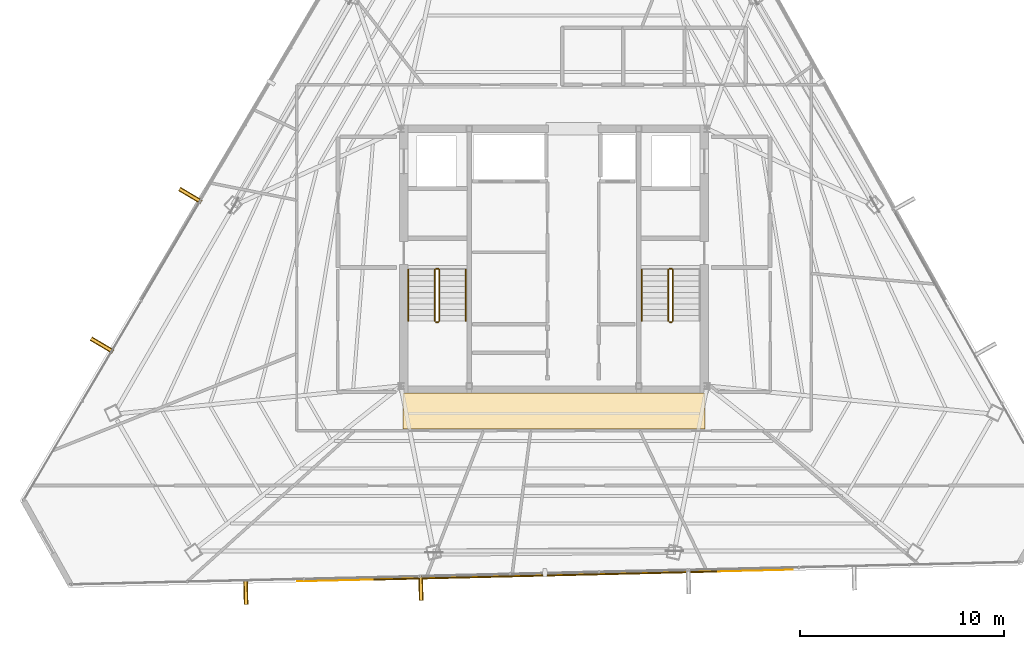
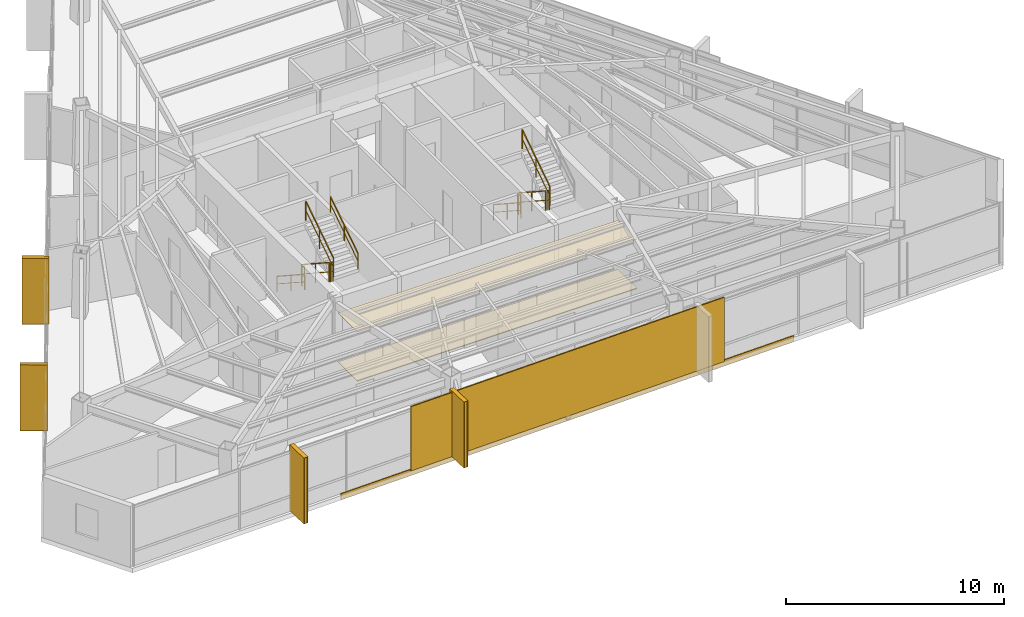
# One storey, part 45 of 46: 11 railings, 7 coverings, 5 shading devices.
"""IFC4 building model written with IfcOpenShell, lengths in metres."""

from ifc_helpers import new_model, si_unit, direction, frame, origin, origin_2d, place, context, subcontext, project, spatial, polyline, rectangle, outline, extrude, source, transform, mapped, material, layer, layer_set, type_object, type_shapes, element, save


model = new_model("IFC4")

# Units and contexts
model_context = context("Model", 3, precision=1e-05, world=origin(), true_north=direction((0.0, 1.0)))
body_context = subcontext(model_context, "Body", "Model", "MODEL_VIEW")
ifc_project = project(units=[si_unit("LENGTHUNIT", "METRE"), si_unit("AREAUNIT", "SQUARE_METRE"), si_unit("VOLUMEUNIT", "CUBIC_METRE"), si_unit("PLANEANGLEUNIT", "RADIAN"), si_unit("MASSUNIT", "GRAM", prefix="KILO")], contexts=[model_context])

# Site, building, storey
site_placement = place(None, origin())
site = spatial("IfcSite", under=ifc_project, at=site_placement, CompositionType="ELEMENT")
building_placement = place(site_placement, origin())
building = spatial("IfcBuilding", under=site, at=building_placement, Name="Caelisora Broadcast Tower", CompositionType="ELEMENT")
storey_placement = place(building_placement, frame((0.0, 0.0, 251.75)))
storey = spatial("IfcBuildingStorey", under=building, at=storey_placement, Name="L66", CompositionType="ELEMENT", Elevation=251.75)

# Coverings
ifc_material_1 = material(Name="Perforated Mineral-Fibre Acoustic Ceiling Tile", Category="gypsum")
ifc_layer_1 = layer(ifc_material_1, 0.034912109375, Name="Perforated Mineral-Fibre Acoustic Ceiling Tile")
ifc_layer_set_1 = layer_set([ifc_layer_1], Name="Perforated Mineral-Fibre Acoustic Ceiling Tile")
covering_type_1 = type_object("IfcCoveringType", Name="CE-1", PredefinedType="CEILING", material=ifc_layer_set_1)
covering_1_placement = place(storey_placement, frame((0.0, 0.0, 2.75)))
element("IfcCovering", 1, at=covering_1_placement, inside=storey, type_object=covering_type_1, Name="L66 acoustic corridor ceiling CE-1 (S)", PredefinedType="CEILING", context=body_context, shape_type="SweptSolid", body=[
    extrude(outline(polyline([(30.60009765625, 15.300048828125), (45.39990234375, 15.300048828125), (45.39990234375, 17.050048828125), (30.60009765625, 17.050048828125), (30.60009765625, 15.300048828125)])), origin(), (0.0, 0.0, 1.0), 0.034912109375),
])
ifc_material_2 = material(Name="Anti-Static Broadcast Raised Access Floor Panel", Category="steel")
ifc_layer_2 = layer(ifc_material_2, 0.044921875, Name="Anti-Static Broadcast Raised Access Floor Panel")
ifc_layer_set_2 = layer_set([ifc_layer_2], Name="Anti-Static Broadcast Raised Access Floor Panel")
covering_type_2 = type_object("IfcCoveringType", Name="FL-1", PredefinedType="FLOORING", material=ifc_layer_set_2)
covering_2_placement = place(storey_placement, origin())
element("IfcCovering", 2, at=covering_2_placement, inside=storey, type_object=covering_type_2, Name="L66 broadcast raised access floor FL-1 (S)", PredefinedType="FLOORING", context=body_context, shape_type="SweptSolid", body=[
    extrude(outline(polyline([(30.60009765625, 15.300048828125), (45.39990234375, 15.300048828125), (45.39990234375, 17.050048828125), (30.60009765625, 17.050048828125), (30.60009765625, 15.300048828125)])), origin(), (0.0, 0.0, 1.0), 0.044921875),
])

# Railings
ifc_material_3 = material(Name="Galvanised Steel Safety Guardrail", Category="steel")
ifc_layer_3 = layer(ifc_material_3, 0.048095703125, Name="Galvanised Steel Safety Guardrail")
ifc_layer_set_3 = layer_set([ifc_layer_3], Name="Galvanised Steel Safety Guardrail")
railing_type_1 = type_object("IfcRailingType", Name="GR-1", PredefinedType="GUARDRAIL", material=ifc_layer_set_3)
railing_1_placement = place(storey_placement, frame((32.169921875, 23.10009765625, 0.1826171875)))
element("IfcRailing", 3, at=railing_1_placement, inside=storey, type_object=railing_type_1, Name="L66 ST-1 stair guard 1", PredefinedType="GUARDRAIL", context=body_context, shape_type="SweptSolid", body=[
    extrude(rectangle(XDim=0.048095703125, YDim=0.048095703125, at=origin_2d()), frame((0.0, 0.0, 1.076171875), z_axis=(0.0, -0.837786554691, 0.545997883492), x_axis=(1.0, 0.0, 0.0)), (0.0, 0.0, 1.0), 3.008056640625),
    extrude(rectangle(XDim=0.03125, YDim=0.03125, at=origin_2d()), frame((0.0, 0.0, 0.550048828125), z_axis=(0.0, -0.837786554691, 0.545997883492), x_axis=(1.0, 0.0, 0.0)), (0.0, 0.0, 1.0), 3.008056640625),
    extrude(rectangle(XDim=0.0419921875, YDim=0.0419921875, at=origin_2d()), origin(), (0.0, 0.0, 1.0), 1.052001953125),
    extrude(rectangle(XDim=0.0419921875, YDim=0.0419921875, at=origin_2d()), frame((0.0, -1.260009765625, 0.8212890625)), (0.0, 0.0, 1.0), 1.052001953125),
    extrude(rectangle(XDim=0.0419921875, YDim=0.0419921875, at=origin_2d()), frame((0.0, -2.52001953125, 1.642333984375)), (0.0, 0.0, 1.0), 1.052001953125),
])
railing_2_placement = place(storey_placement, frame((32.219970703125, 20.530029296875, 1.824951171875)))
element("IfcRailing", 4, at=railing_2_placement, inside=storey, type_object=railing_type_1, Name="L66 ST-1 stair guard 2", PredefinedType="GUARDRAIL", context=body_context, shape_type="SweptSolid", body=[
    extrude(rectangle(XDim=0.048095703125, YDim=0.048095703125, at=origin_2d()), frame((0.0, 0.0, 1.076171875), z_axis=(1.0, 0.0, 0.0), x_axis=(0.0, 1.0, 0.0)), (0.0, 0.0, 1.0), 0.1201171875),
    extrude(rectangle(XDim=0.03125, YDim=0.03125, at=origin_2d()), frame((0.0, 0.0, 0.550048828125), z_axis=(1.0, 0.0, 0.0), x_axis=(0.0, 1.0, 0.0)), (0.0, 0.0, 1.0), 0.1201171875),
    extrude(rectangle(XDim=0.0419921875, YDim=0.0419921875, at=origin_2d()), origin(), (0.0, 0.0, 1.0), 1.052001953125),
    extrude(rectangle(XDim=0.0419921875, YDim=0.0419921875, at=origin_2d()), frame((0.1201171875, 0.0, 0.0)), (0.0, 0.0, 1.0), 1.052001953125),
])
railing_3_placement = place(storey_placement, frame((32.389892578125, 20.580078125, 2.007568359375)))
element("IfcRailing", 5, at=railing_3_placement, inside=storey, type_object=railing_type_1, Name="L66 ST-1 stair guard 3", PredefinedType="GUARDRAIL", context=body_context, shape_type="SweptSolid", body=[
    extrude(rectangle(XDim=0.048095703125, YDim=0.048095703125, at=origin_2d()), frame((0.0, 0.0, 1.076171875), z_axis=(0.0, 0.837786554691, 0.545997883492), x_axis=(-1.0, 0.0, 0.0)), (0.0, 0.0, 1.0), 3.008056640625),
    extrude(rectangle(XDim=0.03125, YDim=0.03125, at=origin_2d()), frame((0.0, 0.0, 0.550048828125), z_axis=(0.0, 0.837786554691, 0.545997883492), x_axis=(-1.0, 0.0, 0.0)), (0.0, 0.0, 1.0), 3.008056640625),
    extrude(rectangle(XDim=0.0419921875, YDim=0.0419921875, at=origin_2d()), origin(), (0.0, 0.0, 1.0), 1.052001953125),
    extrude(rectangle(XDim=0.0419921875, YDim=0.0419921875, at=origin_2d()), frame((0.0, 1.260009765625, 0.8212890625)), (0.0, 0.0, 1.0), 1.052001953125),
    extrude(rectangle(XDim=0.0419921875, YDim=0.0419921875, at=origin_2d()), frame((0.0, 2.52001953125, 1.642333984375)), (0.0, 0.0, 1.0), 1.052001953125),
])
railing_4_placement = place(storey_placement, frame((32.219970703125, 23.14990234375, 0.0)))
element("IfcRailing", 6, at=railing_4_placement, inside=storey, type_object=railing_type_1, Name="L66 ST-1 stair guard 4", PredefinedType="GUARDRAIL", context=body_context, shape_type="SweptSolid", body=[
    extrude(rectangle(XDim=0.048095703125, YDim=0.048095703125, at=origin_2d()), frame((0.0, 0.0, 1.076171875), z_axis=(1.0, 0.0, 0.0), x_axis=(0.0, 1.0, 0.0)), (0.0, 0.0, 1.0), 0.1201171875),
    extrude(rectangle(XDim=0.03125, YDim=0.03125, at=origin_2d()), frame((0.0, 0.0, 0.550048828125), z_axis=(1.0, 0.0, 0.0), x_axis=(0.0, 1.0, 0.0)), (0.0, 0.0, 1.0), 0.1201171875),
    extrude(rectangle(XDim=0.0419921875, YDim=0.0419921875, at=origin_2d()), origin(), (0.0, 0.0, 1.0), 1.052001953125),
    extrude(rectangle(XDim=0.0419921875, YDim=0.0419921875, at=origin_2d()), frame((0.1201171875, 0.0, 0.0)), (0.0, 0.0, 1.0), 1.052001953125),
])
railing_5_placement = place(storey_placement, frame((43.610107421875, 23.10009765625, 0.1826171875)))
element("IfcRailing", 7, at=railing_5_placement, inside=storey, type_object=railing_type_1, Name="L66 ST-2 stair guard 1", PredefinedType="GUARDRAIL", context=body_context, shape_type="SweptSolid", body=[
    extrude(rectangle(XDim=0.048095703125, YDim=0.048095703125, at=origin_2d()), frame((0.0, 0.0, 1.076171875), z_axis=(0.0, -0.837786554691, 0.545997883492), x_axis=(1.0, 0.0, 0.0)), (0.0, 0.0, 1.0), 3.008056640625),
    extrude(rectangle(XDim=0.03125, YDim=0.03125, at=origin_2d()), frame((0.0, 0.0, 0.550048828125), z_axis=(0.0, -0.837786554691, 0.545997883492), x_axis=(1.0, 0.0, 0.0)), (0.0, 0.0, 1.0), 3.008056640625),
    extrude(rectangle(XDim=0.0419921875, YDim=0.0419921875, at=origin_2d()), origin(), (0.0, 0.0, 1.0), 1.052001953125),
    extrude(rectangle(XDim=0.0419921875, YDim=0.0419921875, at=origin_2d()), frame((0.0, -1.260009765625, 0.8212890625)), (0.0, 0.0, 1.0), 1.052001953125),
    extrude(rectangle(XDim=0.0419921875, YDim=0.0419921875, at=origin_2d()), frame((0.0, -2.52001953125, 1.642333984375)), (0.0, 0.0, 1.0), 1.052001953125),
])
railing_6_placement = place(storey_placement, frame((43.659912109375, 20.530029296875, 1.824951171875)))
element("IfcRailing", 8, at=railing_6_placement, inside=storey, type_object=railing_type_1, Name="L66 ST-2 stair guard 2", PredefinedType="GUARDRAIL", context=body_context, shape_type="SweptSolid", body=[
    extrude(rectangle(XDim=0.048095703125, YDim=0.048095703125, at=origin_2d()), frame((0.0, 0.0, 1.076171875), z_axis=(1.0, 0.0, 0.0), x_axis=(0.0, 1.0, 0.0)), (0.0, 0.0, 1.0), 0.1201171875),
    extrude(rectangle(XDim=0.03125, YDim=0.03125, at=origin_2d()), frame((0.0, 0.0, 0.550048828125), z_axis=(1.0, 0.0, 0.0), x_axis=(0.0, 1.0, 0.0)), (0.0, 0.0, 1.0), 0.1201171875),
    extrude(rectangle(XDim=0.0419921875, YDim=0.0419921875, at=origin_2d()), origin(), (0.0, 0.0, 1.0), 1.052001953125),
    extrude(rectangle(XDim=0.0419921875, YDim=0.0419921875, at=origin_2d()), frame((0.1201171875, 0.0, 0.0)), (0.0, 0.0, 1.0), 1.052001953125),
])
railing_7_placement = place(storey_placement, frame((43.830078125, 20.580078125, 2.007568359375)))
element("IfcRailing", 9, at=railing_7_placement, inside=storey, type_object=railing_type_1, Name="L66 ST-2 stair guard 3", PredefinedType="GUARDRAIL", context=body_context, shape_type="SweptSolid", body=[
    extrude(rectangle(XDim=0.048095703125, YDim=0.048095703125, at=origin_2d()), frame((0.0, 0.0, 1.076171875), z_axis=(0.0, 0.837786554691, 0.545997883492), x_axis=(-1.0, 0.0, 0.0)), (0.0, 0.0, 1.0), 3.008056640625),
    extrude(rectangle(XDim=0.03125, YDim=0.03125, at=origin_2d()), frame((0.0, 0.0, 0.550048828125), z_axis=(0.0, 0.837786554691, 0.545997883492), x_axis=(-1.0, 0.0, 0.0)), (0.0, 0.0, 1.0), 3.008056640625),
    extrude(rectangle(XDim=0.0419921875, YDim=0.0419921875, at=origin_2d()), origin(), (0.0, 0.0, 1.0), 1.052001953125),
    extrude(rectangle(XDim=0.0419921875, YDim=0.0419921875, at=origin_2d()), frame((0.0, 1.260009765625, 0.8212890625)), (0.0, 0.0, 1.0), 1.052001953125),
    extrude(rectangle(XDim=0.0419921875, YDim=0.0419921875, at=origin_2d()), frame((0.0, 2.52001953125, 1.642333984375)), (0.0, 0.0, 1.0), 1.052001953125),
])
railing_8_placement = place(storey_placement, frame((43.659912109375, 23.14990234375, 0.0)))
element("IfcRailing", 10, at=railing_8_placement, inside=storey, type_object=railing_type_1, Name="L66 ST-2 stair guard 4", PredefinedType="GUARDRAIL", context=body_context, shape_type="SweptSolid", body=[
    extrude(rectangle(XDim=0.048095703125, YDim=0.048095703125, at=origin_2d()), frame((0.0, 0.0, 1.076171875), z_axis=(1.0, 0.0, 0.0), x_axis=(0.0, 1.0, 0.0)), (0.0, 0.0, 1.0), 0.1201171875),
    extrude(rectangle(XDim=0.03125, YDim=0.03125, at=origin_2d()), frame((0.0, 0.0, 0.550048828125), z_axis=(1.0, 0.0, 0.0), x_axis=(0.0, 1.0, 0.0)), (0.0, 0.0, 1.0), 0.1201171875),
    extrude(rectangle(XDim=0.0419921875, YDim=0.0419921875, at=origin_2d()), origin(), (0.0, 0.0, 1.0), 1.052001953125),
    extrude(rectangle(XDim=0.0419921875, YDim=0.0419921875, at=origin_2d()), frame((0.1201171875, 0.0, 0.0)), (0.0, 0.0, 1.0), 1.052001953125),
])
ifc_material_4 = material(Name="Stainless Steel Grade 316 Tubular Handrail", Category="steel")
ifc_layer_4 = layer(ifc_material_4, 0.048095703125, Name="Stainless Steel Grade 316 Tubular Handrail")
ifc_layer_set_4 = layer_set([ifc_layer_4], Name="Stainless Steel Grade 316 Tubular Handrail")
railing_type_2 = type_object("IfcRailingType", Name="HR-1", PredefinedType="HANDRAIL", material=ifc_layer_set_4)
railing_9_placement = place(storey_placement, frame((30.8701171875, 23.10009765625, 0.1826171875)))
element("IfcRailing", 11, at=railing_9_placement, inside=storey, type_object=railing_type_2, Name="L66 ST-1 stair handrail 1", PredefinedType="HANDRAIL", context=body_context, shape_type="SweptSolid", body=[
    extrude(rectangle(XDim=0.048095703125, YDim=0.048095703125, at=origin_2d()), frame((0.0, 0.0, 0.8759765625), z_axis=(0.0, -0.837786554691, 0.545997883492), x_axis=(1.0, 0.0, 0.0)), (0.0, 0.0, 1.0), 3.008056640625),
    extrude(rectangle(XDim=0.03125, YDim=0.03125, at=origin_2d()), frame((0.0, 0.0, 0.449951171875), z_axis=(0.0, -0.837786554691, 0.545997883492), x_axis=(1.0, 0.0, 0.0)), (0.0, 0.0, 1.0), 3.008056640625),
    extrude(rectangle(XDim=0.0419921875, YDim=0.0419921875, at=origin_2d()), origin(), (0.0, 0.0, 1.0), 0.851806640625),
    extrude(rectangle(XDim=0.0419921875, YDim=0.0419921875, at=origin_2d()), frame((0.0, -1.260009765625, 0.8212890625)), (0.0, 0.0, 1.0), 0.851806640625),
    extrude(rectangle(XDim=0.0419921875, YDim=0.0419921875, at=origin_2d()), frame((0.0, -2.52001953125, 1.642333984375)), (0.0, 0.0, 1.0), 0.851806640625),
])
railing_10_placement = place(storey_placement, frame((33.68994140625, 20.580078125, 2.007568359375)))
element("IfcRailing", 12, at=railing_10_placement, inside=storey, type_object=railing_type_2, Name="L66 ST-1 stair handrail 2", PredefinedType="HANDRAIL", context=body_context, shape_type="SweptSolid", body=[
    extrude(rectangle(XDim=0.048095703125, YDim=0.048095703125, at=origin_2d()), frame((0.0, 0.0, 0.8759765625), z_axis=(0.0, 0.837786554691, 0.545997883492), x_axis=(-1.0, 0.0, 0.0)), (0.0, 0.0, 1.0), 3.008056640625),
    extrude(rectangle(XDim=0.03125, YDim=0.03125, at=origin_2d()), frame((0.0, 0.0, 0.449951171875), z_axis=(0.0, 0.837786554691, 0.545997883492), x_axis=(-1.0, 0.0, 0.0)), (0.0, 0.0, 1.0), 3.008056640625),
    extrude(rectangle(XDim=0.0419921875, YDim=0.0419921875, at=origin_2d()), origin(), (0.0, 0.0, 1.0), 0.851806640625),
    extrude(rectangle(XDim=0.0419921875, YDim=0.0419921875, at=origin_2d()), frame((0.0, 1.260009765625, 0.8212890625)), (0.0, 0.0, 1.0), 0.851806640625),
    extrude(rectangle(XDim=0.0419921875, YDim=0.0419921875, at=origin_2d()), frame((0.0, 2.52001953125, 1.642333984375)), (0.0, 0.0, 1.0), 0.851806640625),
])
railing_11_placement = place(storey_placement, frame((42.31005859375, 23.10009765625, 0.1826171875)))
element("IfcRailing", 13, at=railing_11_placement, inside=storey, type_object=railing_type_2, Name="L66 ST-2 stair handrail 1", PredefinedType="HANDRAIL", context=body_context, shape_type="SweptSolid", body=[
    extrude(rectangle(XDim=0.048095703125, YDim=0.048095703125, at=origin_2d()), frame((0.0, 0.0, 0.8759765625), z_axis=(0.0, -0.837786554691, 0.545997883492), x_axis=(1.0, 0.0, 0.0)), (0.0, 0.0, 1.0), 3.008056640625),
    extrude(rectangle(XDim=0.03125, YDim=0.03125, at=origin_2d()), frame((0.0, 0.0, 0.449951171875), z_axis=(0.0, -0.837786554691, 0.545997883492), x_axis=(1.0, 0.0, 0.0)), (0.0, 0.0, 1.0), 3.008056640625),
    extrude(rectangle(XDim=0.0419921875, YDim=0.0419921875, at=origin_2d()), origin(), (0.0, 0.0, 1.0), 0.851806640625),
    extrude(rectangle(XDim=0.0419921875, YDim=0.0419921875, at=origin_2d()), frame((0.0, -1.260009765625, 0.8212890625)), (0.0, 0.0, 1.0), 0.851806640625),
    extrude(rectangle(XDim=0.0419921875, YDim=0.0419921875, at=origin_2d()), frame((0.0, -2.52001953125, 1.642333984375)), (0.0, 0.0, 1.0), 0.851806640625),
])

# Coverings
ifc_material_5 = material(Name="Kiln-Fired Terracotta Spandrel Rainscreen Cladding", Category="ceramic")
ifc_layer_5 = layer(ifc_material_5, 0.044921875, Name="Kiln-Fired Terracotta Spandrel Rainscreen Cladding")
ifc_layer_set_5 = layer_set([ifc_layer_5], Name="Kiln-Fired Terracotta Spandrel Rainscreen Cladding")
covering_type_3 = type_object("IfcCoveringType", Name="CL-1", PredefinedType="CLADDING", material=ifc_layer_set_5)
shared_shape_1 = source(origin(), body_context, "Body", "SweptSolid", [
    extrude(rectangle(XDim=0.219970703125, YDim=1.25, at=origin_2d()), origin(), (0.0, 0.0, 1.0), 3.68994140625),
])
for number, where, z_axis, x_axis, name in (
    (14, (31.481689453125, 7.51708984375, -0.02001953125), (0.0, 0.0, 1.0), (-0.999722430218, -0.023559764834, 0.0), "L66 vertical solar fin cladding #2-3"),
    (15, (22.904296875, 7.315185546875, -0.02001953125), (0.0, 0.0, 1.0), (-0.999722430218, -0.023559764834, 0.0), "L66 vertical solar fin cladding #2-4"),
    (16, (15.861572265625, 19.400390625, -0.02001953125), (0.0, 0.0, 1.0), (0.508440380454, 0.861097195167, 0.0), "L66 vertical solar fin cladding #3-1"),
    (17, (20.190185546875, 26.73193359375, -0.02001953125), (0.0, 0.0, 1.0), (0.508440380454, 0.861097195167, 0.0), "L66 vertical solar fin cladding #3-2"),
):
    element("IfcCovering", number, at=place(storey_placement, frame(where, z_axis=z_axis, x_axis=x_axis)), inside=storey, type_object=covering_type_3, Name=name, PredefinedType="CLADDING", context=body_context, shape_type="MappedRepresentation", body=[
        mapped(shared_shape_1, transform((0.0, 0.0, 0.0), scale=1.0)),
    ])

# Shading devices
ifc_material_6 = material(Name="Extruded Terracotta Flaring Colonnade Fin", Category="ceramic")
ifc_layer_6 = layer(ifc_material_6, 0.139892578125, Name="Extruded Terracotta Flaring Colonnade Fin")
ifc_layer_set_6 = layer_set([ifc_layer_6], Name="Extruded Terracotta Flaring Colonnade Fin")
shading_device_type_1 = type_object("IfcShadingDeviceType", Name="FN-1", PredefinedType="USERDEFINED", material=ifc_layer_set_6)
shared_shape_2 = source(origin(), body_context, "Body", "SweptSolid", [
    extrude(rectangle(XDim=0.139892578125, YDim=1.25, at=origin_2d()), origin(), (0.0, 0.0, 1.0), 3.669921875),
])
type_shapes(shading_device_type_1, [shared_shape_2])
for number, where, z_axis, x_axis, name in (
    (18, (31.481689453125, 7.51708984375, -0.010009765625), (0.0, 0.0, 1.0), (-0.999722430218, -0.023559764834, 0.0), "L66 vertical terracotta fin #2-3"),
    (19, (22.904296875, 7.315185546875, -0.010009765625), (0.0, 0.0, 1.0), (-0.999722430218, -0.023559764834, 0.0), "L66 vertical terracotta fin #2-4"),
    (20, (15.861572265625, 19.400390625, -0.010009765625), (0.0, 0.0, 1.0), (0.508440380454, 0.861097195167, 0.0), "L66 vertical terracotta fin #3-1"),
    (21, (20.190185546875, 26.73193359375, -0.010009765625), (0.0, 0.0, 1.0), (0.508440380454, 0.861097195167, 0.0), "L66 vertical terracotta fin #3-2"),
):
    element("IfcShadingDevice", number, at=place(storey_placement, frame(where, z_axis=z_axis, x_axis=x_axis)), inside=storey, type_object=shading_device_type_1, Name=name, ObjectType="FIN", PredefinedType="USERDEFINED", context=body_context, shape_type="MappedRepresentation", body=[
        mapped(shared_shape_2, transform((0.0, 0.0, 0.0), scale=1.0)),
    ])
ifc_material_7 = material(Name="Perforated Glazed Terracotta Baguette Solar Screen", Category="ceramic")
ifc_layer_7 = layer(ifc_material_7, 0.06494140625, Name="Perforated Glazed Terracotta Baguette Solar Screen")
ifc_layer_set_7 = layer_set([ifc_layer_7], Name="Perforated Glazed Terracotta Baguette Solar Screen")
shading_device_type_2 = type_object("IfcShadingDeviceType", Name="SS-1", PredefinedType="USERDEFINED", material=ifc_layer_set_7)
shared_shape_3 = source(origin(), body_context, "Body", "SweptSolid", [
    extrude(rectangle(XDim=16.80810546875, YDim=0.06494140625, at=origin_2d()), origin(), (0.0, 0.0, 1.0), 3.590087890625),
])
type_shapes(shading_device_type_2, [shared_shape_3])
shading_device_placement = place(storey_placement, frame((37.563720703125, 8.110595703125, 0.0), z_axis=(0.0, 0.0, 1.0), x_axis=(0.999722430218, 0.023559764834, 0.0)))
element("IfcShadingDevice", 22, at=shading_device_placement, inside=storey, type_object=shading_device_type_2, Name="L66 perforated terracotta solar screen #2", ObjectType="SOLAR SCREEN", PredefinedType="USERDEFINED", context=body_context, shape_type="MappedRepresentation", body=[
    mapped(shared_shape_3, transform((0.0, 0.0, 0.0), scale=1.0)),
])

# Covering
shared_shape_4 = source(origin(), body_context, "Body", "SweptSolid", [
    extrude(rectangle(XDim=24.278076171875, YDim=0.044921875, at=origin_2d()), origin(), (0.0, 0.0, 1.0), 0.340087890625),
])
type_shapes(covering_type_3, [shared_shape_1, shared_shape_4])
covering_3_placement = place(storey_placement, frame((37.56298828125, 8.130615234375, -0.27001953125), z_axis=(0.0, 0.0, 1.0), x_axis=(0.999722430218, 0.023559764834, 0.0)))
element("IfcCovering", 23, at=covering_3_placement, inside=storey, type_object=covering_type_3, Name="L66 terracotta spandrel rainscreen #2", PredefinedType="CLADDING", context=body_context, shape_type="MappedRepresentation", body=[
    mapped(shared_shape_4, transform((0.0, 0.0, 0.0), scale=1.0)),
])

save(model, "model.ifc")
